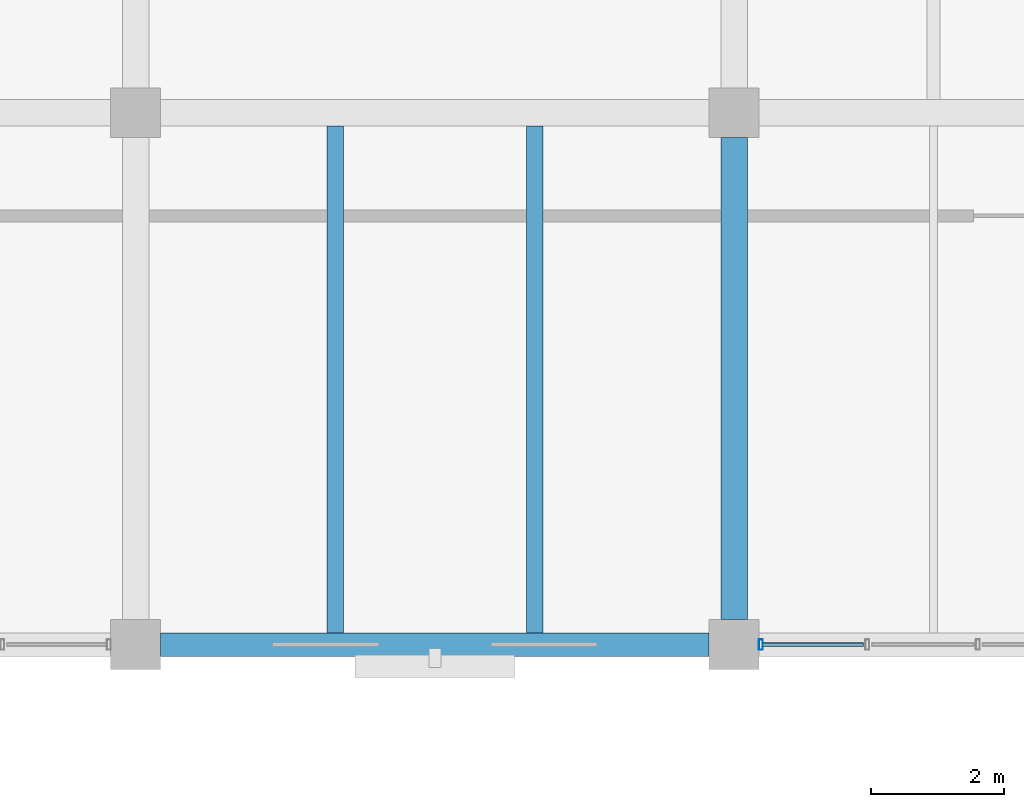
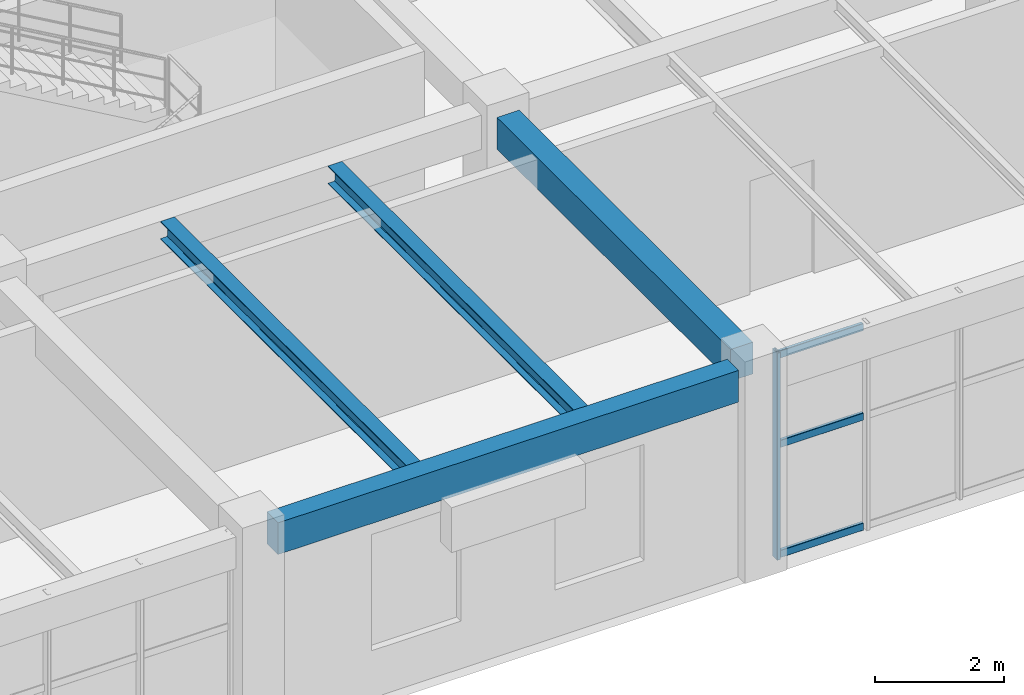
# One storey, part 81 of 148: 4 beams, 4 members, 1 element without a shape of its own.
"""IFC4 building model written with IfcOpenShell, lengths in metres."""

from ifc_helpers import new_model, si_unit, derived_unit, direction, frame, origin, origin_2d, place, context, subcontext, project, spatial, rectangle, hollow_rectangle, i_section, extrude, material, material_profile, profile_set, type_object, element, aggregate, save


model = new_model("IFC4")

# Units and contexts
model_context = context("Model", 3, precision=1e-05, world=origin(), true_north=direction((0.0, 1.0)))
body_context = subcontext(model_context, "Body", "Model", "MODEL_VIEW")
ifc_project = project(units=[si_unit("LENGTHUNIT", "METRE"), si_unit("AREAUNIT", "SQUARE_METRE"), si_unit("VOLUMEUNIT", "CUBIC_METRE"), si_unit("PLANEANGLEUNIT", "RADIAN"), si_unit("MASSUNIT", "GRAM", prefix="KILO"), derived_unit("THERMALTRANSMITTANCEUNIT", [(si_unit("MASSUNIT", "GRAM", prefix="KILO"), 1), (si_unit("TIMEUNIT", "SECOND"), -3), (si_unit("THERMODYNAMICTEMPERATUREUNIT", "KELVIN"), -1)])], contexts=[model_context])

# Site, building, storey
site_placement = place(None, origin())
site = spatial("IfcSite", under=ifc_project, at=site_placement, CompositionType="ELEMENT")
building_placement = place(site_placement, origin())
building = spatial("IfcBuilding", under=site, at=building_placement, Name="Zhenchuan Archway Interchange", CompositionType="ELEMENT")
storey_placement = place(building_placement, frame((0.0, 0.0, 10.199951171875)))
storey = spatial("IfcBuildingStorey", under=building, at=storey_placement, Name="L02", CompositionType="ELEMENT", Elevation=10.199951171875)

# Beam
ifc_material_1 = material(Name="Concrete C40", Category="concrete")
ifc_material_profile_1 = material_profile(ifc_material_1, rectangle(XDim=0.39990234375, YDim=0.60009765625, at=origin_2d()), Name="RC 400x600")
ifc_profile_set_1 = profile_set([ifc_material_profile_1], Name="Concrete C40")
beam_type_1 = type_object("IfcBeamType", Name="BM_RC_400x600", PredefinedType="BEAM", material=ifc_profile_set_1)
beam_1_placement = place(storey_placement, frame((126.0, 88.375, 3.6201171875), z_axis=(0.0, 1.0, 0.0), x_axis=(-1.0, 0.0, 0.0)))
element("IfcBeam", 1, at=beam_1_placement, inside=storey, type_object=beam_type_1, Name="Beam 15:M-N (L02)", PredefinedType="BEAM", context=body_context, shape_type="SweptSolid", body=[
    extrude(rectangle(XDim=0.39990234375, YDim=0.60009765625, at=origin_2d()), origin(), (0.0, 0.0, 1.0), 7.25),
])

# Curtain wall, members
ifc_material_2 = material(Name="Anodised Aluminium", Category="aluminium")
curtain_wall_type = type_object("IfcCurtainWallType", Name="CW_UNIT_2", PredefinedType="NOTDEFINED", material=ifc_material_2)
curtain_wall_placement = place(storey_placement, origin())
curtain_wall = element("IfcCurtainWall", 2, at=curtain_wall_placement, inside=storey, type_object=curtain_wall_type, Name="Unitised curtain wall CW:L02:145", PredefinedType="NOTDEFINED")
ifc_material_profile_2 = material_profile(ifc_material_2, hollow_rectangle(XDim=0.06005859375, YDim=0.159912109375, WallThickness=0.00390625, InnerFilletRadius=0.00390625, OuterFilletRadius=0.008056640625, at=origin_2d()), Name="ALU 160x60x4")
ifc_profile_set_2 = profile_set([ifc_material_profile_2], Name="Anodised Aluminium")
member_type_1 = type_object("IfcMemberType", Name="CW_MUL_150", PredefinedType="MULLION", material=ifc_profile_set_2)
member_1_placement = place(storey_placement, frame((126.403076171875, 88.0, 0.0), z_axis=(0.0, 0.0, 1.0), x_axis=(1.0, 0.0, 0.0)))
member_1 = element("IfcMember", 3, at=member_1_placement, type_object=member_type_1, Name="CW:L02:145 mullion 5", PredefinedType="MULLION", context=body_context, shape_type="SweptSolid", body=[
    extrude(hollow_rectangle(XDim=0.06005859375, YDim=0.159912109375, WallThickness=0.00390625, InnerFilletRadius=0.00390625, OuterFilletRadius=0.008056640625, at=origin_2d()), origin(), (0.0, 0.0, 1.0), 3.920166015625),
])
ifc_material_profile_3 = material_profile(ifc_material_2, hollow_rectangle(XDim=0.06005859375, YDim=0.139892578125, WallThickness=0.00341796875, InnerFilletRadius=0.00341796875, OuterFilletRadius=0.007080078125, at=origin_2d()), Name="ALU 140x60x3.5")
ifc_profile_set_3 = profile_set([ifc_material_profile_3], Name="Anodised Aluminium")
member_type_2 = type_object("IfcMemberType", Name="CW_TRN_140", PredefinedType="USERDEFINED", material=ifc_profile_set_3)
member_2_placement = place(storey_placement, frame((127.94580078125, 88.0, 0.06005859375), z_axis=(-1.0, 0.0, 0.0), x_axis=(0.0, -1.0, 0.0)))
member_2 = element("IfcMember", 4, at=member_2_placement, type_object=member_type_2, Name="CW:L02:145 transom 4-1", ObjectType="TRANSOM", PredefinedType="USERDEFINED", context=body_context, shape_type="SweptSolid", body=[
    extrude(hollow_rectangle(XDim=0.06005859375, YDim=0.139892578125, WallThickness=0.00341796875, InnerFilletRadius=0.00341796875, OuterFilletRadius=0.007080078125, at=origin_2d()), origin(), (0.0, 0.0, 1.0), 1.522705078125),
])
member_3_placement = place(storey_placement, frame((127.94580078125, 88.0, 2.14501953125), z_axis=(-1.0, 0.0, 0.0), x_axis=(0.0, -1.0, 0.0)))
member_3 = element("IfcMember", 5, at=member_3_placement, type_object=member_type_2, Name="CW:L02:145 transom 4-2", ObjectType="TRANSOM", PredefinedType="USERDEFINED", context=body_context, shape_type="SweptSolid", body=[
    extrude(hollow_rectangle(XDim=0.06005859375, YDim=0.139892578125, WallThickness=0.00341796875, InnerFilletRadius=0.00341796875, OuterFilletRadius=0.007080078125, at=origin_2d()), origin(), (0.0, 0.0, 1.0), 1.522705078125),
])
member_4_placement = place(storey_placement, frame((127.94580078125, 88.0, 3.840087890625), z_axis=(-1.0, 0.0, 0.0), x_axis=(0.0, -1.0, 0.0)))
member_4 = element("IfcMember", 6, at=member_4_placement, type_object=member_type_2, Name="CW:L02:145 transom 4-3", ObjectType="TRANSOM", PredefinedType="USERDEFINED", context=body_context, shape_type="SweptSolid", body=[
    extrude(hollow_rectangle(XDim=0.06005859375, YDim=0.139892578125, WallThickness=0.00341796875, InnerFilletRadius=0.00341796875, OuterFilletRadius=0.007080078125, at=origin_2d()), origin(), (0.0, 0.0, 1.0), 1.522705078125),
])
aggregate(curtain_wall, [member_1, member_2, member_3, member_4])

# Beams
ifc_material_3 = material(Name="Steel Q355", Category="steel")
ifc_material_profile_4 = material_profile(ifc_material_3, i_section(OverallWidth=0.25, OverallDepth=0.340087890625, WebThickness=0.009033203125, FlangeThickness=0.013916015625, FilletRadius=0.01806640625, at=origin_2d()), Name="HM 340x250")
ifc_profile_set_4 = profile_set([ifc_material_profile_4], Name="Steel Q355")
beam_type_2 = type_object("IfcBeamType", Name="JST_STL_HM340", PredefinedType="JOIST", material=ifc_profile_set_4)
for number, where, z_axis, x_axis, name in (
    (7, (120.0, 88.175048828125, 3.75), (0.0, 1.0, 0.0), (-1.0, 0.0, 0.0), "Secondary joist 14-15/M-N #1 (L02)"),
    (8, (123.0, 88.175048828125, 3.75), (0.0, 1.0, 0.0), (-1.0, 0.0, 0.0), "Secondary joist 14-15/M-N #2 (L02)"),
):
    element("IfcBeam", number, at=place(storey_placement, frame(where, z_axis=z_axis, x_axis=x_axis)), inside=storey, type_object=beam_type_2, Name=name, PredefinedType="JOIST", context=body_context, shape_type="SweptSolid", body=[
        extrude(i_section(OverallWidth=0.25, OverallDepth=0.340087890625, WebThickness=0.009033203125, FlangeThickness=0.013916015625, FilletRadius=0.01806640625, at=origin_2d()), origin(), (0.0, 0.0, 1.0), 7.625),
    ])
ifc_material_profile_5 = material_profile(ifc_material_1, rectangle(XDim=0.35009765625, YDim=0.60009765625, at=origin_2d()), Name="RC 350x600")
ifc_profile_set_5 = profile_set([ifc_material_profile_5], Name="Concrete C40")
beam_type_3 = type_object("IfcBeamType", Name="SP_RC_350x600", PredefinedType="SPANDREL", material=ifc_profile_set_5)
beam_2_placement = place(storey_placement, frame((117.375, 88.0, 3.6201171875), z_axis=(1.0, 0.0, 0.0), x_axis=(0.0, 1.0, 0.0)))
element("IfcBeam", 9, at=beam_2_placement, inside=storey, type_object=beam_type_3, Name="Beam M:14-15 (L02)", PredefinedType="SPANDREL", context=body_context, shape_type="SweptSolid", body=[
    extrude(rectangle(XDim=0.35009765625, YDim=0.60009765625, at=origin_2d()), origin(), (0.0, 0.0, 1.0), 8.25),
])

save(model, "model.ifc")
